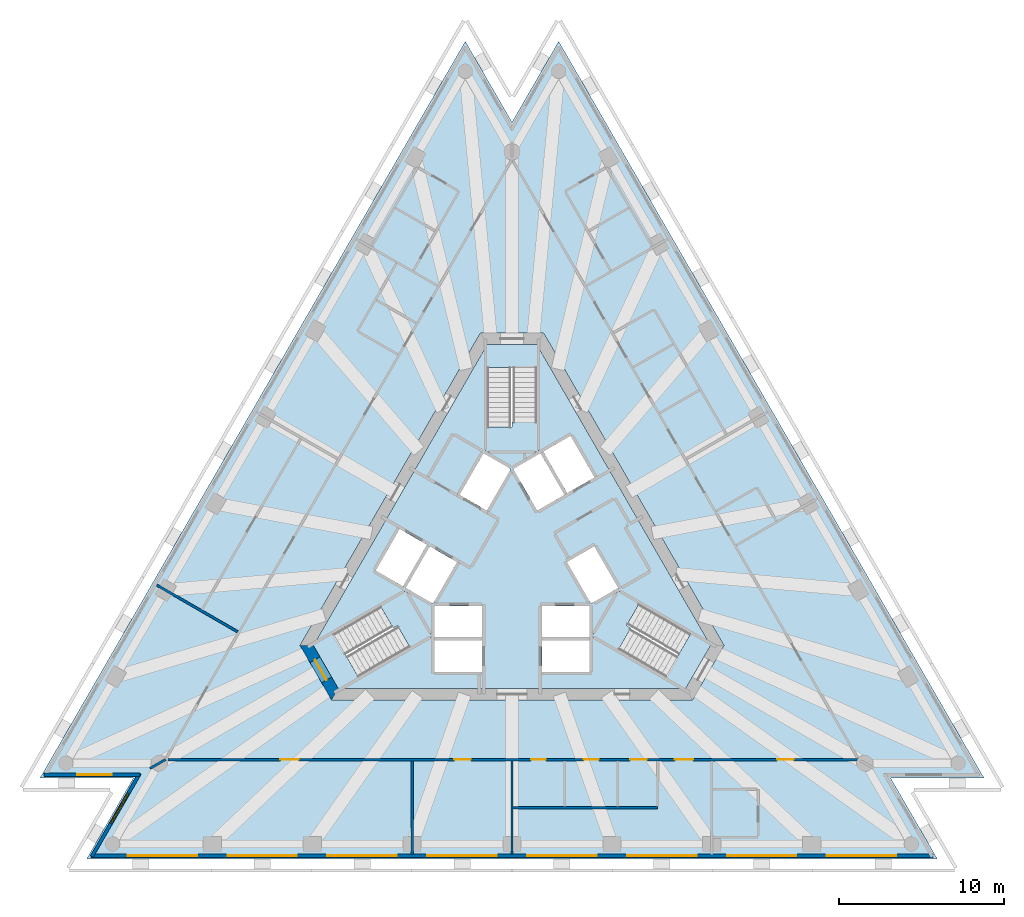
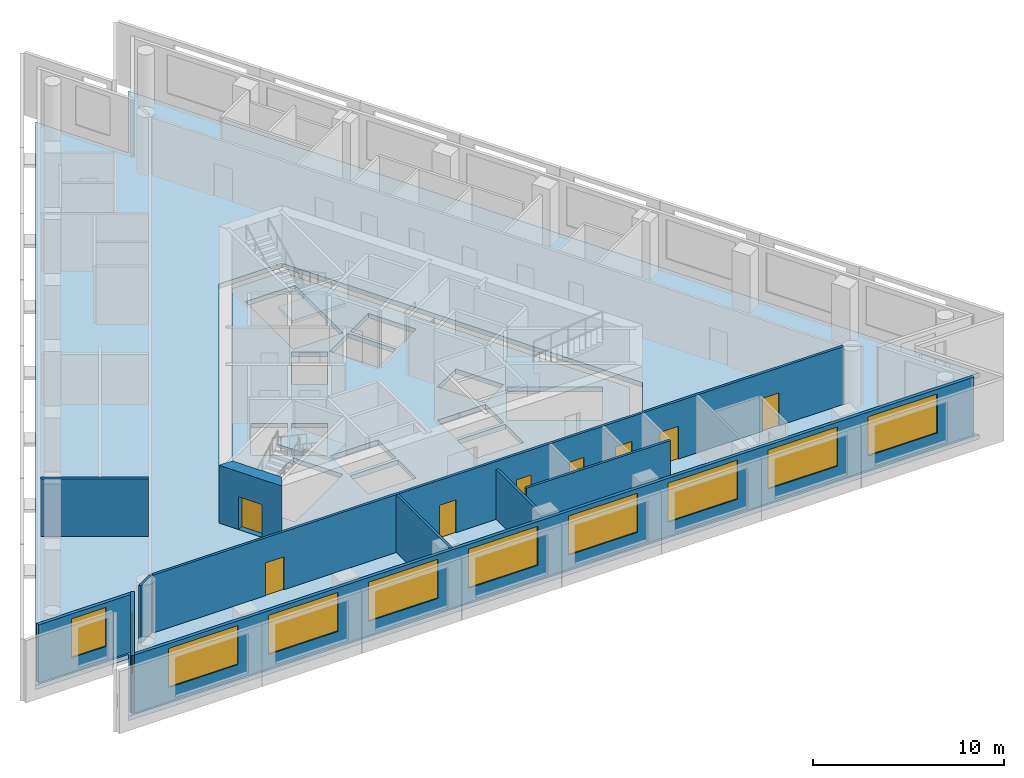
# One storey, part 2 of 9: 10 walls, 10 windows, 8 doors, 5 slabs, 18 openings, 3 elements without a shape of their own.
"""IFC4 building model written with IfcOpenShell, lengths in metres."""

from ifc_helpers import new_model, si_unit, direction, frame, frame_2d, origin, place, context, subcontext, project, spatial, polyline, rectangle, outline, extrude, material, layer, layer_set, layer_usage, type_object, element, fill, aggregate, save


model = new_model("IFC4")

# Units and contexts
model_context = context("Model", 3, precision=1e-05, world=origin(), true_north=direction((0.0, 1.0)))
body_context = subcontext(model_context, "Body", "Model", "MODEL_VIEW")
ifc_project = project(units=[si_unit("LENGTHUNIT", "METRE"), si_unit("AREAUNIT", "SQUARE_METRE"), si_unit("VOLUMEUNIT", "CUBIC_METRE"), si_unit("PLANEANGLEUNIT", "RADIAN"), si_unit("MASSUNIT", "GRAM", prefix="KILO")], contexts=[model_context])

# Site, building, storey
site_placement = place(None, origin())
site = spatial("IfcSite", under=ifc_project, at=site_placement, CompositionType="ELEMENT")
building_placement = place(site_placement, origin())
building = spatial("IfcBuilding", under=site, at=building_placement, Name="Triada Interchange Tower", CompositionType="ELEMENT")
storey_placement = place(building_placement, frame((0.0, 0.0, 219.300048828125)))
storey = spatial("IfcBuildingStorey", under=building, at=storey_placement, Name="L51", CompositionType="ELEMENT", Elevation=219.300048828125)

# Slabs
ifc_material_1 = material(Name="Concrete C50/60", Category="concrete")
ifc_layer_1 = layer(ifc_material_1, 0.300048828125)
ifc_layer_set_1 = layer_set([ifc_layer_1], Name="Floor slab 300")
slab_type_1 = type_object("IfcSlabType", Name="Floor slab 300", PredefinedType="FLOOR", material=ifc_layer_set_1)
slab_1_placement = place(storey_placement, frame((0.0, 0.0, -0.300048828125)))
element("IfcSlab", 1, at=slab_1_placement, inside=storey, type_object=slab_type_1, Name="Floor slab L51", PredefinedType="FLOOR", context=body_context, shape_type="SweptSolid", body=[
    extrude(outline(polyline([(-2.822998046875, 31.330078125), (-28.5439453125, -13.219970703125), (-22.89794921875, -13.219970703125), (-25.720947265625, -18.110107421875), (25.720947265625, -18.110107421875), (22.89794921875, -13.219970703125), (28.5439453125, -13.219970703125), (2.822998046875, 31.330078125), (0.0, 26.44091796875), (-2.822998046875, 31.330078125)]), holes=[polyline([(1.905029296875, 13.699951171875), (-1.905029296875, 13.699951171875), (-12.81689453125, -5.199951171875), (-10.912109375, -8.5), (10.912109375, -8.5), (12.81689453125, -5.199951171875), (1.905029296875, 13.699951171875)])]), origin(), (0.0, 0.0, 1.0), 0.300048828125),
])
slab_2_placement = place(storey_placement, frame((0.0, 0.0, -0.300048828125)))
element("IfcSlab", 2, at=slab_2_placement, inside=storey, type_object=slab_type_1, Name="Core floor slab L51 1", PredefinedType="FLOOR", context=body_context, shape_type="SweptSolid", body=[
    extrude(outline(polyline([(12.009033203125, -5.199951171875), (10.508056640625, -7.800048828125), (-10.508056640625, -7.800048828125), (-12.009033203125, -5.199951171875), (-1.5009765625, 13.0), (1.5009765625, 13.0), (12.009033203125, -5.199951171875)]), holes=[polyline([(9.2958984375, -7.09912109375), (10.7958984375, -4.5009765625), (6.466064453125, -2.0009765625), (4.966064453125, -4.59912109375), (9.2958984375, -7.09912109375)]), polyline([(4.77490234375, -2.669921875), (6.419921875, -1.719970703125), (4.969970703125, 0.791015625), (4.137939453125, 0.31103515625), (3.324951171875, -0.158935546875), (4.77490234375, -2.669921875)]), polyline([(1.89404296875, 6.52001953125), (3.343994140625, 4.009033203125), (4.989013671875, 4.958984375), (3.5390625, 7.469970703125), (1.89404296875, 6.52001953125)]), polyline([(1.800048828125, -4.89990234375), (1.800048828125, -6.4990234375), (1.800048828125, -6.800048828125), (4.699951171875, -6.800048828125), (4.699951171875, -4.89990234375), (1.800048828125, -4.89990234375)]), polyline([(4.699951171875, -2.800048828125), (1.800048828125, -2.800048828125), (1.800048828125, -4.699951171875), (4.699951171875, -4.699951171875), (4.699951171875, -2.800048828125)]), polyline([(0.074951171875, 5.469970703125), (1.52490234375, 2.958984375), (3.169921875, 3.908935546875), (1.719970703125, 6.419921875), (0.074951171875, 5.469970703125)]), polyline([(-1.5, 11.60009765625), (-1.5, 6.60009765625), (1.5, 6.60009765625), (1.5, 11.60009765625), (-1.5, 11.60009765625)]), polyline([(-1.52490234375, 2.958984375), (-0.074951171875, 5.469970703125), (-1.719970703125, 6.419921875), (-3.169921875, 3.908935546875), (-1.52490234375, 2.958984375)]), polyline([(-1.800048828125, -2.800048828125), (-4.699951171875, -2.800048828125), (-4.699951171875, -4.699951171875), (-1.800048828125, -4.699951171875), (-1.800048828125, -2.800048828125)]), polyline([(-4.699951171875, -6.800048828125), (-1.800048828125, -6.800048828125), (-1.800048828125, -6.4990234375), (-1.800048828125, -4.89990234375), (-4.699951171875, -4.89990234375), (-4.699951171875, -6.800048828125)]), polyline([(-3.367919921875, -0.134033203125), (-4.969970703125, 0.791015625), (-6.419921875, -1.719970703125), (-4.77490234375, -2.669921875), (-3.324951171875, -0.158935546875), (-3.367919921875, -0.134033203125)]), polyline([(-10.7958984375, -4.5009765625), (-9.2958984375, -7.09912109375), (-4.966064453125, -4.59912109375), (-6.466064453125, -2.0009765625), (-10.7958984375, -4.5009765625)]), polyline([(-6.593994140625, -1.6201171875), (-5.14404296875, 0.89111328125), (-6.7890625, 1.841064453125), (-8.239013671875, -0.669921875), (-6.593994140625, -1.6201171875)])]), origin(), (0.0, 0.0, 1.0), 0.300048828125),
])

# Stair, slab
ifc_material_2 = material(Name="Concrete C35/45", Category="concrete")
stair_type = type_object("IfcStairType", Name="HALF TURN STAIR 1400", PredefinedType="HALF_TURN_STAIR", material=ifc_material_2)
stair_1_placement = place(storey_placement, origin())
stair_1 = element("IfcStair", 3, at=stair_1_placement, inside=storey, type_object=stair_type, Name="Exit stair S50-1", PredefinedType="HALF_TURN_STAIR")
ifc_layer_2 = layer(ifc_material_2, 0.199951171875)
ifc_layer_set_2 = layer_set([ifc_layer_2], Name="STAIR LANDING 200")
slab_type_2 = type_object("IfcSlabType", Name="STAIR LANDING 200", PredefinedType="LANDING", material=ifc_layer_set_2)
slab_3_placement = place(storey_placement, frame((0.0, 0.0, 1.719970703125)))
slab_3 = element("IfcSlab", 4, at=slab_3_placement, type_object=slab_type_2, Name="S50-1 landing 1", PredefinedType="LANDING", context=body_context, shape_type="SweptSolid", body=[
    extrude(outline(polyline([(1.60009765625, 6.5), (1.60009765625, 8.300048828125), (0.0, 8.300048828125), (0.0, 8.0), (-1.60009765625, 8.0), (-1.60009765625, 6.5), (1.60009765625, 6.5)])), origin(), (0.0, 0.0, 1.0), 0.199951171875),
])
aggregate(stair_1, [slab_3])

stair_2_placement = place(storey_placement, origin())
stair_2 = element("IfcStair", 5, at=stair_2_placement, inside=storey, type_object=stair_type, Name="Exit stair S50-2", PredefinedType="HALF_TURN_STAIR")
slab_4_placement = place(storey_placement, frame((0.0, 0.0, 1.719970703125)))
slab_4 = element("IfcSlab", 6, at=slab_4_placement, type_object=slab_type_2, Name="S50-2 landing 1", PredefinedType="LANDING", context=body_context, shape_type="SweptSolid", body=[
    extrude(outline(polyline([(-6.428955078125, -1.864013671875), (-7.988037109375, -2.763916015625), (-7.18798828125, -4.14990234375), (-6.927978515625, -4.0), (-6.1279296875, -5.385986328125), (-4.8291015625, -4.635986328125), (-6.428955078125, -1.864013671875)])), origin(), (0.0, 0.0, 1.0), 0.199951171875),
])
aggregate(stair_2, [slab_4])

stair_3_placement = place(storey_placement, origin())
stair_3 = element("IfcStair", 7, at=stair_3_placement, inside=storey, type_object=stair_type, Name="Exit stair S50-3", PredefinedType="HALF_TURN_STAIR")
slab_5_placement = place(storey_placement, frame((0.0, 0.0, 1.719970703125)))
slab_5 = element("IfcSlab", 8, at=slab_5_placement, type_object=slab_type_2, Name="S50-3 landing 1", PredefinedType="LANDING", context=body_context, shape_type="SweptSolid", body=[
    extrude(outline(polyline([(4.8291015625, -4.635986328125), (6.387939453125, -5.535888671875), (7.18798828125, -4.14990234375), (6.927978515625, -4.0), (7.72802734375, -2.614013671875), (6.428955078125, -1.864013671875), (4.8291015625, -4.635986328125)])), origin(), (0.0, 0.0, 1.0), 0.199951171875),
])
aggregate(stair_3, [slab_5])

# Wall, opening, door
ifc_layer_3 = layer(ifc_material_1, 0.699951171875)
ifc_layer_set_3 = layer_set([ifc_layer_3], Name="Core wall C 700")
wall_type_1 = type_object("IfcWallType", Name="Core wall C 700", PredefinedType="SHEAR", material=ifc_layer_set_3)
wall_1_placement = place(storey_placement, frame((-12.4130859375, -5.199951171875, -0.300048828125), z_axis=(0.0, 0.0, 1.0), x_axis=(0.49999337185, -0.866029230515, 0.0)))
wall_1 = element("IfcWall", 9, at=wall_1_placement, inside=storey, type_object=wall_type_1, Name="Core wall WC03 L51", PredefinedType="SHEAR", context=body_context, shape_type="SweptSolid", body=[
    extrude(outline(polyline([(-0.201904296875, -0.35009765625), (1.703125, -0.35009765625), (3.60791015625, -0.35009765625), (3.2041015625, 0.35009765625), (1.703125, 0.35009765625), (0.201904296875, 0.35009765625), (-0.201904296875, -0.35009765625)])), origin(), (0.0, 0.0, 1.0), 4.0),
])
opening_1_placement = place(wall_1_placement, frame((1.0029296875, 0.0, 0.300048828125)))
opening_1 = element("IfcOpeningElement", 10, at=opening_1_placement, cuts=wall_1, Name="Opening D50-40", PredefinedType="OPENING", context=body_context, shape_type="SweptSolid", body=[
    extrude(rectangle(XDim=1.39990234375, YDim=2.10009765625, at=frame_2d((0.699951171875, 1.050048828125))), frame((0.0, 0.360107421875, 0.0), z_axis=(0.0, -1.0, 0.0), x_axis=(1.0, 0.0, 0.0)), (0.0, 0.0, 1.0), 0.72021484375),
])
ifc_material_3 = material(Name="Steel S235 door leaf", Category="steel")
door_type_1 = type_object("IfcDoorType", Name="STAIR DOOR 1400 EI2 90-C5S200", OperationType="DOUBLE_DOOR_SINGLE_SWING", PredefinedType="DOOR", material=ifc_material_3)
door_1_placement = place(opening_1_placement, origin())
door_1 = element("IfcDoor", 11, at=door_1_placement, inside=storey, type_object=door_type_1, Name="Door D50-40 L51", OperationType="DOUBLE_DOOR_SINGLE_SWING", OverallHeight=2.10009765625, OverallWidth=1.39990234375, PredefinedType="DOOR", context=body_context, shape_type="SweptSolid", body=[
    extrude(rectangle(XDim=1.39990234375, YDim=2.10009765625, at=frame_2d((0.699951171875, 1.050048828125))), frame((0.0, 0.02490234375, 0.0), z_axis=(0.0, -1.0, 0.0), x_axis=(1.0, 0.0, 0.0)), (0.0, 0.0, 1.0), 0.050048828125),
])
fill(opening_1, door_1)

# Wall, opening, window
ifc_material_4 = material(Name="Cement board")
ifc_layer_4 = layer(ifc_material_4, 0.02001953125, Name="Cement board cladding")
ifc_material_5 = material(Name="Sheathing board")
ifc_layer_5 = layer(ifc_material_5, 0.014892578125, Name="Sheathing board")
ifc_material_6 = material(Name="Mineral wool")
ifc_layer_6 = layer(ifc_material_6, 0.14990234375, Name="Mineral wool between steel studs")
ifc_material_7 = material(Name="Gypsum board")
ifc_layer_7 = layer(ifc_material_7, 0.014892578125, Name="Plasterboard lining")
ifc_layer_set_4 = layer_set([ifc_layer_4, ifc_layer_5, ifc_layer_6, ifc_layer_7], Name="External wall 200")
ifc_layer_usage = layer_usage(ifc_layer_set_4, "AXIS2", "POSITIVE", -0.10009765625)
wall_type_2 = type_object("IfcWallType", Name="External wall 200", PredefinedType="ELEMENTEDWALL", material=ifc_layer_set_4)
wall_2_placement = place(storey_placement, frame((-28.2880859375, -13.02001953125, 0.0), z_axis=(0.0, 0.0, 1.0), x_axis=(1.0, 0.0, 0.0)))
wall_2 = element("IfcWall", 12, at=wall_2_placement, inside=storey, type_object=wall_type_2, material=ifc_layer_usage, Name="External wall L51 SW-1", PredefinedType="ELEMENTEDWALL", context=body_context, shape_type="SweptSolid", body=[
    extrude(rectangle(XDim=5.80615234375, YDim=0.199951171875, at=frame_2d((2.903076171875, 0.0))), origin(), (0.0, 0.0, 1.0), 3.699951171875),
])
opening_2_placement = place(wall_2_placement, frame((1.989990234375, 0.0, 0.89990234375)))
opening_2 = element("IfcOpeningElement", 13, at=opening_2_placement, cuts=wall_2, Name="Opening WC09", PredefinedType="OPENING", context=body_context, shape_type="SweptSolid", body=[
    extrude(rectangle(XDim=2.10009765625, YDim=2.5, at=frame_2d((1.050048828125, 1.25))), frame((0.0, 0.10986328125, 0.0), z_axis=(0.0, -1.0, 0.0), x_axis=(1.0, 0.0, 0.0)), (0.0, 0.0, 1.0), 0.219970703125),
])
ifc_material_8 = material(Name="Double glazed aluminium window", Category="aluminium")
window_type_1 = type_object("IfcWindowType", Name="Ribbon window C pocket", PartitioningType="SINGLE_PANEL", PredefinedType="WINDOW", material=ifc_material_8)
window_1_placement = place(opening_2_placement, origin())
window_1 = element("IfcWindow", 14, at=window_1_placement, inside=storey, type_object=window_type_1, Name="Window L51 SW-1 1", OverallHeight=2.5, OverallWidth=2.10009765625, PartitioningType="SINGLE_PANEL", PredefinedType="WINDOW", context=body_context, shape_type="SweptSolid", body=[
    extrude(rectangle(XDim=2.10009765625, YDim=2.5, at=frame_2d((1.050048828125, 1.25))), frame((0.0, 0.030029296875, 0.0), z_axis=(0.0, -1.0, 0.0), x_axis=(1.0, 0.0, 0.0)), (0.0, 0.0, 1.0), 0.06005859375),
])
fill(opening_2, window_1)

wall_3_placement = place(storey_placement, frame((-22.507080078125, -12.94189453125, 0.0), z_axis=(0.0, 0.0, 1.0), x_axis=(-0.499910499212, -0.866077070922, 0.0)))
wall_3 = element("IfcWall", 15, at=wall_3_placement, inside=storey, type_object=wall_type_2, material=ifc_layer_usage, Name="External wall L51 SW-2", PredefinedType="ELEMENTEDWALL", context=body_context, shape_type="SweptSolid", body=[
    extrude(rectangle(XDim=5.806640625, YDim=0.199951171875, at=frame_2d((2.9033203125, 0.0))), origin(), (0.0, 0.0, 1.0), 3.699951171875),
])
opening_3_placement = place(wall_3_placement, frame((1.389892578125, 0.0, 0.89990234375)))
opening_3 = element("IfcOpeningElement", 16, at=opening_3_placement, cuts=wall_3, Name="Opening WC10", PredefinedType="OPENING", context=body_context, shape_type="SweptSolid", body=[
    extrude(rectangle(XDim=2.10009765625, YDim=2.5, at=frame_2d((1.050048828125, 1.25))), frame((0.0, 0.10986328125, 0.0), z_axis=(0.0, -1.0, 0.0), x_axis=(1.0, 0.0, 0.0)), (0.0, 0.0, 1.0), 0.219970703125),
])
window_2_placement = place(opening_3_placement, origin())
window_2 = element("IfcWindow", 17, at=window_2_placement, inside=storey, type_object=window_type_1, Name="Window L51 SW-2 1", OverallHeight=2.5, OverallWidth=2.10009765625, PartitioningType="SINGLE_PANEL", PredefinedType="WINDOW", context=body_context, shape_type="SweptSolid", body=[
    extrude(rectangle(XDim=2.10009765625, YDim=2.5, at=frame_2d((1.050048828125, 1.25))), frame((0.0, 0.030029296875, 0.0), z_axis=(0.0, -1.0, 0.0), x_axis=(1.0, 0.0, 0.0)), (0.0, 0.0, 1.0), 0.06005859375),
])
fill(opening_3, window_2)

# Wall, openings, windows
wall_4_placement = place(storey_placement, frame((-25.465087890625, -17.909912109375, 0.0), z_axis=(0.0, 0.0, 1.0), x_axis=(1.0, 0.0, 0.0)))
wall_4 = element("IfcWall", 18, at=wall_4_placement, inside=storey, type_object=wall_type_2, material=ifc_layer_usage, Name="External wall L51 S", PredefinedType="ELEMENTEDWALL", context=body_context, shape_type="SweptSolid", body=[
    extrude(rectangle(XDim=50.91015625, YDim=0.199951171875, at=frame_2d((25.455078125, 0.0))), origin(), (0.0, 0.0, 1.0), 3.699951171875),
])
opening_4_placement = place(wall_4_placement, frame((2.222900390625, 0.0, 0.89990234375)))
opening_4 = element("IfcOpeningElement", 19, at=opening_4_placement, cuts=wall_4, Name="Opening WC11", PredefinedType="OPENING", context=body_context, shape_type="SweptSolid", body=[
    extrude(rectangle(XDim=4.199951171875, YDim=2.5, at=frame_2d((2.10009765625, 1.25))), frame((0.0, 0.10986328125, 0.0), z_axis=(0.0, -1.0, 0.0), x_axis=(1.0, 0.0, 0.0)), (0.0, 0.0, 1.0), 0.219970703125),
])
opening_5_placement = place(wall_4_placement, frame((8.263916015625, 0.0, 0.89990234375)))
opening_5 = element("IfcOpeningElement", 20, at=opening_5_placement, cuts=wall_4, Name="Opening WC12", PredefinedType="OPENING", context=body_context, shape_type="SweptSolid", body=[
    extrude(rectangle(XDim=4.199951171875, YDim=2.5, at=frame_2d((2.10009765625, 1.25))), frame((0.0, 0.10986328125, 0.0), z_axis=(0.0, -1.0, 0.0), x_axis=(1.0, 0.0, 0.0)), (0.0, 0.0, 1.0), 0.219970703125),
])
opening_6_placement = place(wall_4_placement, frame((14.303955078125, 0.0, 0.89990234375)))
opening_6 = element("IfcOpeningElement", 21, at=opening_6_placement, cuts=wall_4, Name="Opening WC13", PredefinedType="OPENING", context=body_context, shape_type="SweptSolid", body=[
    extrude(rectangle(XDim=4.199951171875, YDim=2.5, at=frame_2d((2.10009765625, 1.25))), frame((0.0, 0.10986328125, 0.0), z_axis=(0.0, -1.0, 0.0), x_axis=(1.0, 0.0, 0.0)), (0.0, 0.0, 1.0), 0.219970703125),
])
opening_7_placement = place(wall_4_placement, frame((20.344970703125, 0.0, 0.89990234375)))
opening_7 = element("IfcOpeningElement", 22, at=opening_7_placement, cuts=wall_4, Name="Opening WC14", PredefinedType="OPENING", context=body_context, shape_type="SweptSolid", body=[
    extrude(rectangle(XDim=4.199951171875, YDim=2.5, at=frame_2d((2.10009765625, 1.25))), frame((0.0, 0.10986328125, 0.0), z_axis=(0.0, -1.0, 0.0), x_axis=(1.0, 0.0, 0.0)), (0.0, 0.0, 1.0), 0.219970703125),
])
opening_8_placement = place(wall_4_placement, frame((26.385009765625, 0.0, 0.89990234375)))
opening_8 = element("IfcOpeningElement", 23, at=opening_8_placement, cuts=wall_4, Name="Opening WC15", PredefinedType="OPENING", context=body_context, shape_type="SweptSolid", body=[
    extrude(rectangle(XDim=4.199951171875, YDim=2.5, at=frame_2d((2.10009765625, 1.25))), frame((0.0, 0.10986328125, 0.0), z_axis=(0.0, -1.0, 0.0), x_axis=(1.0, 0.0, 0.0)), (0.0, 0.0, 1.0), 0.219970703125),
])
opening_9_placement = place(wall_4_placement, frame((32.426025390625, 0.0, 0.89990234375)))
opening_9 = element("IfcOpeningElement", 24, at=opening_9_placement, cuts=wall_4, Name="Opening WC16", PredefinedType="OPENING", context=body_context, shape_type="SweptSolid", body=[
    extrude(rectangle(XDim=4.199951171875, YDim=2.5, at=frame_2d((2.10009765625, 1.25))), frame((0.0, 0.10986328125, 0.0), z_axis=(0.0, -1.0, 0.0), x_axis=(1.0, 0.0, 0.0)), (0.0, 0.0, 1.0), 0.219970703125),
])
opening_10_placement = place(wall_4_placement, frame((38.466064453125, 0.0, 0.89990234375)))
opening_10 = element("IfcOpeningElement", 25, at=opening_10_placement, cuts=wall_4, Name="Opening WC17", PredefinedType="OPENING", context=body_context, shape_type="SweptSolid", body=[
    extrude(rectangle(XDim=4.199951171875, YDim=2.5, at=frame_2d((2.10009765625, 1.25))), frame((0.0, 0.10986328125, 0.0), z_axis=(0.0, -1.0, 0.0), x_axis=(1.0, 0.0, 0.0)), (0.0, 0.0, 1.0), 0.219970703125),
])
opening_11_placement = place(wall_4_placement, frame((44.507080078125, 0.0, 0.89990234375)))
opening_11 = element("IfcOpeningElement", 26, at=opening_11_placement, cuts=wall_4, Name="Opening WC18", PredefinedType="OPENING", context=body_context, shape_type="SweptSolid", body=[
    extrude(rectangle(XDim=4.199951171875, YDim=2.5, at=frame_2d((2.10009765625, 1.25))), frame((0.0, 0.10986328125, 0.0), z_axis=(0.0, -1.0, 0.0), x_axis=(1.0, 0.0, 0.0)), (0.0, 0.0, 1.0), 0.219970703125),
])
window_type_2 = type_object("IfcWindowType", Name="Ribbon window C face", PartitioningType="SINGLE_PANEL", PredefinedType="WINDOW", material=ifc_material_8)
window_3_placement = place(opening_4_placement, origin())
window_3 = element("IfcWindow", 27, at=window_3_placement, inside=storey, type_object=window_type_2, Name="Window L51 S 1", OverallHeight=2.5, OverallWidth=4.199951171875, PartitioningType="SINGLE_PANEL", PredefinedType="WINDOW", context=body_context, shape_type="SweptSolid", body=[
    extrude(rectangle(XDim=4.199951171875, YDim=2.5, at=frame_2d((2.10009765625, 1.25))), frame((0.0, 0.030029296875, 0.0), z_axis=(0.0, -1.0, 0.0), x_axis=(1.0, 0.0, 0.0)), (0.0, 0.0, 1.0), 0.06005859375),
])
fill(opening_4, window_3)
window_4_placement = place(opening_5_placement, origin())
window_4 = element("IfcWindow", 28, at=window_4_placement, inside=storey, type_object=window_type_2, Name="Window L51 S 2", OverallHeight=2.5, OverallWidth=4.199951171875, PartitioningType="SINGLE_PANEL", PredefinedType="WINDOW", context=body_context, shape_type="SweptSolid", body=[
    extrude(rectangle(XDim=4.199951171875, YDim=2.5, at=frame_2d((2.10009765625, 1.25))), frame((0.0, 0.030029296875, 0.0), z_axis=(0.0, -1.0, 0.0), x_axis=(1.0, 0.0, 0.0)), (0.0, 0.0, 1.0), 0.06005859375),
])
fill(opening_5, window_4)
window_5_placement = place(opening_6_placement, origin())
window_5 = element("IfcWindow", 29, at=window_5_placement, inside=storey, type_object=window_type_2, Name="Window L51 S 3", OverallHeight=2.5, OverallWidth=4.199951171875, PartitioningType="SINGLE_PANEL", PredefinedType="WINDOW", context=body_context, shape_type="SweptSolid", body=[
    extrude(rectangle(XDim=4.199951171875, YDim=2.5, at=frame_2d((2.10009765625, 1.25))), frame((0.0, 0.030029296875, 0.0), z_axis=(0.0, -1.0, 0.0), x_axis=(1.0, 0.0, 0.0)), (0.0, 0.0, 1.0), 0.06005859375),
])
fill(opening_6, window_5)
window_6_placement = place(opening_7_placement, origin())
window_6 = element("IfcWindow", 30, at=window_6_placement, inside=storey, type_object=window_type_2, Name="Window L51 S 4", OverallHeight=2.5, OverallWidth=4.199951171875, PartitioningType="SINGLE_PANEL", PredefinedType="WINDOW", context=body_context, shape_type="SweptSolid", body=[
    extrude(rectangle(XDim=4.199951171875, YDim=2.5, at=frame_2d((2.10009765625, 1.25))), frame((0.0, 0.030029296875, 0.0), z_axis=(0.0, -1.0, 0.0), x_axis=(1.0, 0.0, 0.0)), (0.0, 0.0, 1.0), 0.06005859375),
])
fill(opening_7, window_6)
window_7_placement = place(opening_8_placement, origin())
window_7 = element("IfcWindow", 31, at=window_7_placement, inside=storey, type_object=window_type_2, Name="Window L51 S 5", OverallHeight=2.5, OverallWidth=4.199951171875, PartitioningType="SINGLE_PANEL", PredefinedType="WINDOW", context=body_context, shape_type="SweptSolid", body=[
    extrude(rectangle(XDim=4.199951171875, YDim=2.5, at=frame_2d((2.10009765625, 1.25))), frame((0.0, 0.030029296875, 0.0), z_axis=(0.0, -1.0, 0.0), x_axis=(1.0, 0.0, 0.0)), (0.0, 0.0, 1.0), 0.06005859375),
])
fill(opening_8, window_7)
window_8_placement = place(opening_9_placement, origin())
window_8 = element("IfcWindow", 32, at=window_8_placement, inside=storey, type_object=window_type_2, Name="Window L51 S 6", OverallHeight=2.5, OverallWidth=4.199951171875, PartitioningType="SINGLE_PANEL", PredefinedType="WINDOW", context=body_context, shape_type="SweptSolid", body=[
    extrude(rectangle(XDim=4.199951171875, YDim=2.5, at=frame_2d((2.10009765625, 1.25))), frame((0.0, 0.030029296875, 0.0), z_axis=(0.0, -1.0, 0.0), x_axis=(1.0, 0.0, 0.0)), (0.0, 0.0, 1.0), 0.06005859375),
])
fill(opening_9, window_8)
window_9_placement = place(opening_10_placement, origin())
window_9 = element("IfcWindow", 33, at=window_9_placement, inside=storey, type_object=window_type_2, Name="Window L51 S 7", OverallHeight=2.5, OverallWidth=4.199951171875, PartitioningType="SINGLE_PANEL", PredefinedType="WINDOW", context=body_context, shape_type="SweptSolid", body=[
    extrude(rectangle(XDim=4.199951171875, YDim=2.5, at=frame_2d((2.10009765625, 1.25))), frame((0.0, 0.030029296875, 0.0), z_axis=(0.0, -1.0, 0.0), x_axis=(1.0, 0.0, 0.0)), (0.0, 0.0, 1.0), 0.06005859375),
])
fill(opening_10, window_9)
window_10_placement = place(opening_11_placement, origin())
window_10 = element("IfcWindow", 34, at=window_10_placement, inside=storey, type_object=window_type_2, Name="Window L51 S 8", OverallHeight=2.5, OverallWidth=4.199951171875, PartitioningType="SINGLE_PANEL", PredefinedType="WINDOW", context=body_context, shape_type="SweptSolid", body=[
    extrude(rectangle(XDim=4.199951171875, YDim=2.5, at=frame_2d((2.10009765625, 1.25))), frame((0.0, 0.030029296875, 0.0), z_axis=(0.0, -1.0, 0.0), x_axis=(1.0, 0.0, 0.0)), (0.0, 0.0, 1.0), 0.06005859375),
])
fill(opening_11, window_10)

# Walls
ifc_material_9 = material(Name="Gypsum board partition")
ifc_layer_8 = layer(ifc_material_9, 0.14990234375)
ifc_layer_set_5 = layer_set([ifc_layer_8], Name="PARTITION 150 EI 180")
wall_type_3 = type_object("IfcWallType", Name="PARTITION 150 EI 180", PredefinedType="PARTITIONING", material=ifc_layer_set_5)
wall_5_placement = place(storey_placement, frame((-21.8759765625, -12.6298828125, 0.0), z_axis=(0.0, 0.0, 1.0), x_axis=(0.865940358422, 0.500147273966, 0.0)))
element("IfcWall", 35, at=wall_5_placement, inside=storey, type_object=wall_type_3, Name="Wall L50 1", PredefinedType="PARTITIONING", context=body_context, shape_type="SweptSolid", body=[
    extrude(rectangle(XDim=1.061279296875, YDim=0.14990234375, at=frame_2d((0.53076171875, 0.0))), origin(), (0.0, 0.0, 1.0), 3.699951171875),
])
wall_6_placement = place(storey_placement, frame((-21.48095703125, -1.548095703125, 0.0), z_axis=(0.0, 0.0, 1.0), x_axis=(0.866053291823, -0.49995169339, 0.0)))
element("IfcWall", 36, at=wall_6_placement, inside=storey, type_object=wall_type_3, Name="Wall L50 3", PredefinedType="PARTITIONING", context=body_context, shape_type="SweptSolid", body=[
    extrude(rectangle(XDim=5.654296875, YDim=0.14990234375, at=frame_2d((2.8271484375, 0.0))), origin(), (0.0, 0.0, 1.0), 3.699951171875),
])

# Wall, openings, doors
wall_7_placement = place(storey_placement, frame((-20.80810546875, -12.10009765625, 0.0), z_axis=(0.0, 0.0, 1.0), x_axis=(1.0, 0.0, 0.0)))
wall_7 = element("IfcWall", 37, at=wall_7_placement, inside=storey, type_object=wall_type_3, Name="Wall L50 5", PredefinedType="PARTITIONING", context=body_context, shape_type="SweptSolid", body=[
    extrude(rectangle(XDim=41.76611328125, YDim=0.14990234375, at=frame_2d((20.883056640625, 0.0))), origin(), (0.0, 0.0, 1.0), 3.699951171875),
])
opening_12_placement = place(wall_7_placement, frame((6.800048828125, 0.0, 0.0)))
opening_12 = element("IfcOpeningElement", 38, at=opening_12_placement, cuts=wall_7, Name="Opening D50-11", PredefinedType="OPENING", context=body_context, shape_type="SweptSolid", body=[
    extrude(rectangle(XDim=1.10009765625, YDim=2.10009765625, at=frame_2d((0.550048828125, 1.050048828125))), frame((0.0, 0.0849609375, 0.0), z_axis=(0.0, -1.0, 0.0), x_axis=(1.0, 0.0, 0.0)), (0.0, 0.0, 1.0), 0.169921875),
])
opening_13_placement = place(wall_7_placement, frame((17.31689453125, 0.0, 0.0)))
opening_13 = element("IfcOpeningElement", 39, at=opening_13_placement, cuts=wall_7, Name="Opening D50-12", PredefinedType="OPENING", context=body_context, shape_type="SweptSolid", body=[
    extrude(rectangle(XDim=1.0, YDim=2.10009765625, at=frame_2d((0.5, 1.050048828125))), frame((0.0, 0.0849609375, 0.0), z_axis=(0.0, -1.0, 0.0), x_axis=(1.0, 0.0, 0.0)), (0.0, 0.0, 1.0), 0.169921875),
])
opening_14_placement = place(wall_7_placement, frame((30.657958984375, 0.0, 0.0)))
opening_14 = element("IfcOpeningElement", 40, at=opening_14_placement, cuts=wall_7, Name="Opening D50-13", PredefinedType="OPENING", context=body_context, shape_type="SweptSolid", body=[
    extrude(rectangle(XDim=1.10009765625, YDim=2.10009765625, at=frame_2d((0.550048828125, 1.050048828125))), frame((0.0, 0.0849609375, 0.0), z_axis=(0.0, -1.0, 0.0), x_axis=(1.0, 0.0, 0.0)), (0.0, 0.0, 1.0), 0.169921875),
])
opening_15_placement = place(wall_7_placement, frame((21.9580078125, 0.0, 0.0)))
opening_15 = element("IfcOpeningElement", 41, at=opening_15_placement, cuts=wall_7, Name="Opening D50-14", PredefinedType="OPENING", context=body_context, shape_type="SweptSolid", body=[
    extrude(rectangle(XDim=0.89990234375, YDim=2.10009765625, at=frame_2d((0.449951171875, 1.050048828125))), frame((0.0, 0.0849609375, 0.0), z_axis=(0.0, -1.0, 0.0), x_axis=(1.0, 0.0, 0.0)), (0.0, 0.0, 1.0), 0.169921875),
])
opening_16_placement = place(wall_7_placement, frame((25.157958984375, 0.0, 0.0)))
opening_16 = element("IfcOpeningElement", 42, at=opening_16_placement, cuts=wall_7, Name="Opening D50-15", PredefinedType="OPENING", context=body_context, shape_type="SweptSolid", body=[
    extrude(rectangle(XDim=0.89990234375, YDim=2.10009765625, at=frame_2d((0.449951171875, 1.050048828125))), frame((0.0, 0.0849609375, 0.0), z_axis=(0.0, -1.0, 0.0), x_axis=(1.0, 0.0, 0.0)), (0.0, 0.0, 1.0), 0.169921875),
])
opening_17_placement = place(wall_7_placement, frame((27.9580078125, 0.0, 0.0)))
opening_17 = element("IfcOpeningElement", 43, at=opening_17_placement, cuts=wall_7, Name="Opening D50-16", PredefinedType="OPENING", context=body_context, shape_type="SweptSolid", body=[
    extrude(rectangle(XDim=1.0, YDim=2.10009765625, at=frame_2d((0.5, 1.050048828125))), frame((0.0, 0.0849609375, 0.0), z_axis=(0.0, -1.0, 0.0), x_axis=(1.0, 0.0, 0.0)), (0.0, 0.0, 1.0), 0.169921875),
])
opening_18_placement = place(wall_7_placement, frame((36.839111328125, 0.0, 0.0)))
opening_18 = element("IfcOpeningElement", 44, at=opening_18_placement, cuts=wall_7, Name="Opening D50-17", PredefinedType="OPENING", context=body_context, shape_type="SweptSolid", body=[
    extrude(rectangle(XDim=1.0, YDim=2.10009765625, at=frame_2d((0.5, 1.050048828125))), frame((0.0, 0.0849609375, 0.0), z_axis=(0.0, -1.0, 0.0), x_axis=(1.0, 0.0, 0.0)), (0.0, 0.0, 1.0), 0.169921875),
])
door_type_2 = type_object("IfcDoorType", Name="ROOM DOOR 1000 EI2 90-C5S200", OperationType="NOTDEFINED", PredefinedType="DOOR", material=ifc_material_3)
door_2_placement = place(opening_13_placement, origin())
door_2 = element("IfcDoor", 45, at=door_2_placement, inside=storey, type_object=door_type_2, Name="Door D50-12 L51", OperationType="SINGLE_SWING_RIGHT", OverallHeight=2.10009765625, OverallWidth=1.0, PredefinedType="DOOR", context=body_context, shape_type="SweptSolid", body=[
    extrude(rectangle(XDim=1.0, YDim=2.10009765625, at=frame_2d((0.5, 1.050048828125))), frame((0.0, 0.02490234375, 0.0), z_axis=(0.0, -1.0, 0.0), x_axis=(1.0, 0.0, 0.0)), (0.0, 0.0, 1.0), 0.050048828125),
])
fill(opening_13, door_2)
door_3_placement = place(opening_17_placement, origin())
door_3 = element("IfcDoor", 46, at=door_3_placement, inside=storey, type_object=door_type_2, Name="Door D50-16 L51", OperationType="SINGLE_SWING_RIGHT", OverallHeight=2.10009765625, OverallWidth=1.0, PredefinedType="DOOR", context=body_context, shape_type="SweptSolid", body=[
    extrude(rectangle(XDim=1.0, YDim=2.10009765625, at=frame_2d((0.5, 1.050048828125))), frame((0.0, 0.02490234375, 0.0), z_axis=(0.0, -1.0, 0.0), x_axis=(1.0, 0.0, 0.0)), (0.0, 0.0, 1.0), 0.050048828125),
])
fill(opening_17, door_3)
door_4_placement = place(opening_18_placement, origin())
door_4 = element("IfcDoor", 47, at=door_4_placement, inside=storey, type_object=door_type_2, Name="Door D50-17 L51", OperationType="SINGLE_SWING_LEFT", OverallHeight=2.10009765625, OverallWidth=1.0, PredefinedType="DOOR", context=body_context, shape_type="SweptSolid", body=[
    extrude(rectangle(XDim=1.0, YDim=2.10009765625, at=frame_2d((0.5, 1.050048828125))), frame((0.0, 0.02490234375, 0.0), z_axis=(0.0, -1.0, 0.0), x_axis=(1.0, 0.0, 0.0)), (0.0, 0.0, 1.0), 0.050048828125),
])
fill(opening_18, door_4)
door_type_3 = type_object("IfcDoorType", Name="ROOM DOOR 900 EI2 90-C5S200", OperationType="NOTDEFINED", PredefinedType="DOOR", material=ifc_material_3)
door_5_placement = place(opening_15_placement, origin())
door_5 = element("IfcDoor", 48, at=door_5_placement, inside=storey, type_object=door_type_3, Name="Door D50-14 L51", OperationType="SINGLE_SWING_RIGHT", OverallHeight=2.10009765625, OverallWidth=0.89990234375, PredefinedType="DOOR", context=body_context, shape_type="SweptSolid", body=[
    extrude(rectangle(XDim=0.89990234375, YDim=2.10009765625, at=frame_2d((0.449951171875, 1.050048828125))), frame((0.0, 0.02490234375, 0.0), z_axis=(0.0, -1.0, 0.0), x_axis=(1.0, 0.0, 0.0)), (0.0, 0.0, 1.0), 0.050048828125),
])
fill(opening_15, door_5)
door_6_placement = place(opening_16_placement, origin())
door_6 = element("IfcDoor", 49, at=door_6_placement, inside=storey, type_object=door_type_3, Name="Door D50-15 L51", OperationType="SINGLE_SWING_RIGHT", OverallHeight=2.10009765625, OverallWidth=0.89990234375, PredefinedType="DOOR", context=body_context, shape_type="SweptSolid", body=[
    extrude(rectangle(XDim=0.89990234375, YDim=2.10009765625, at=frame_2d((0.449951171875, 1.050048828125))), frame((0.0, 0.02490234375, 0.0), z_axis=(0.0, -1.0, 0.0), x_axis=(1.0, 0.0, 0.0)), (0.0, 0.0, 1.0), 0.050048828125),
])
fill(opening_16, door_6)
door_type_4 = type_object("IfcDoorType", Name="TENANCY ENTRANCE DOOR 1100 EI2 90-C5S200", OperationType="NOTDEFINED", PredefinedType="DOOR", material=ifc_material_3)
door_7_placement = place(opening_12_placement, origin())
door_7 = element("IfcDoor", 50, at=door_7_placement, inside=storey, type_object=door_type_4, Name="Door D50-11 L51", OperationType="SINGLE_SWING_RIGHT", OverallHeight=2.10009765625, OverallWidth=1.10009765625, PredefinedType="DOOR", context=body_context, shape_type="SweptSolid", body=[
    extrude(rectangle(XDim=1.10009765625, YDim=2.10009765625, at=frame_2d((0.550048828125, 1.050048828125))), frame((0.0, 0.02490234375, 0.0), z_axis=(0.0, -1.0, 0.0), x_axis=(1.0, 0.0, 0.0)), (0.0, 0.0, 1.0), 0.050048828125),
])
fill(opening_12, door_7)
door_8_placement = place(opening_14_placement, origin())
door_8 = element("IfcDoor", 51, at=door_8_placement, inside=storey, type_object=door_type_4, Name="Door D50-13 L51", OperationType="SINGLE_SWING_LEFT", OverallHeight=2.10009765625, OverallWidth=1.10009765625, PredefinedType="DOOR", context=body_context, shape_type="SweptSolid", body=[
    extrude(rectangle(XDim=1.10009765625, YDim=2.10009765625, at=frame_2d((0.550048828125, 1.050048828125))), frame((0.0, 0.02490234375, 0.0), z_axis=(0.0, -1.0, 0.0), x_axis=(1.0, 0.0, 0.0)), (0.0, 0.0, 1.0), 0.050048828125),
])
fill(opening_14, door_8)

# Walls
wall_8_placement = place(storey_placement, frame((-6.041015625, -17.830078125, 0.0), z_axis=(0.0, 0.0, 1.0), x_axis=(0.0, 1.0, 0.0)))
element("IfcWall", 52, at=wall_8_placement, inside=storey, type_object=wall_type_3, Name="Wall L50 12", PredefinedType="PARTITIONING", context=body_context, shape_type="SweptSolid", body=[
    extrude(rectangle(XDim=5.655029296875, YDim=0.14990234375, at=frame_2d((2.82763671875, 0.0))), origin(), (0.0, 0.0, 1.0), 3.699951171875),
])
wall_9_placement = place(storey_placement, frame((0.0, -17.830078125, 0.0), z_axis=(0.0, 0.0, 1.0), x_axis=(0.0, 1.0, 0.0)))
element("IfcWall", 53, at=wall_9_placement, inside=storey, type_object=wall_type_3, Name="Wall L50 13", PredefinedType="PARTITIONING", context=body_context, shape_type="SweptSolid", body=[
    extrude(rectangle(XDim=5.655029296875, YDim=0.14990234375, at=frame_2d((2.82763671875, 0.0))), origin(), (0.0, 0.0, 1.0), 3.199951171875),
])
wall_10_placement = place(storey_placement, frame((0.074951171875, -15.0048828125, 0.0), z_axis=(0.0, 0.0, 1.0), x_axis=(1.0, 0.0, 0.0)))
element("IfcWall", 54, at=wall_10_placement, inside=storey, type_object=wall_type_3, Name="Wall L50 15", PredefinedType="PARTITIONING", context=body_context, shape_type="SweptSolid", body=[
    extrude(rectangle(XDim=8.72509765625, YDim=0.14990234375, at=frame_2d((4.362548828125, 0.0))), origin(), (0.0, 0.0, 1.0), 3.699951171875),
])

save(model, "model.ifc")
